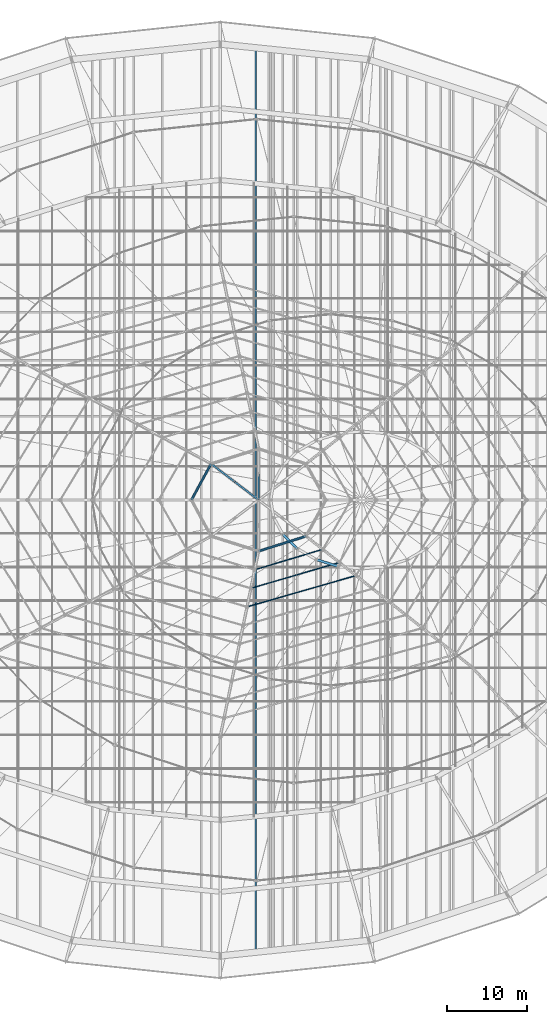
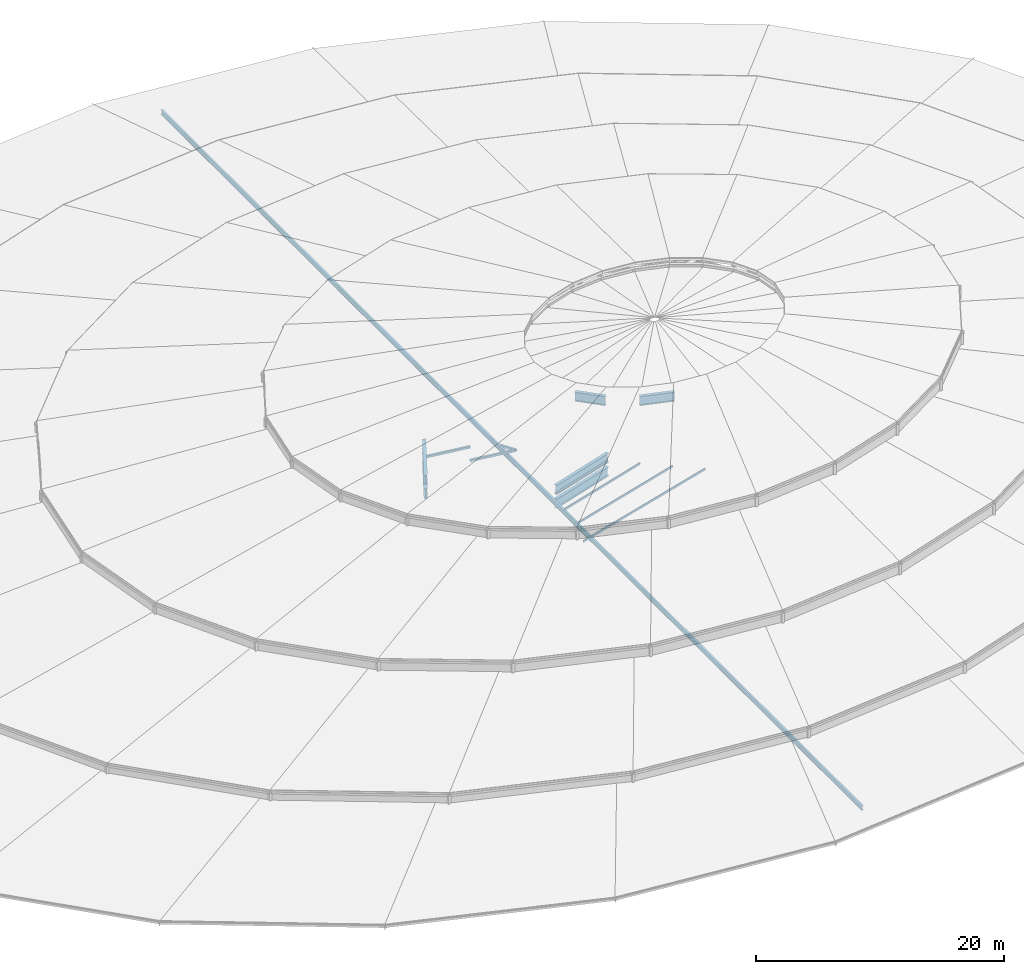
# One storey, part 60 of 184: 9 members, 6 beams.
"""IFC4 building model written with IfcOpenShell, lengths in metres."""

from ifc_helpers import new_model, si_unit, direction, frame, origin, origin_2d, place, context, subcontext, project, spatial, hollow_rectangle, i_section, extrude, material, material_profile, profile_set, type_object, element, save


model = new_model("IFC4")

# Units and contexts
model_context = context("Model", 3, precision=1e-05, world=origin(), true_north=direction((0.0, 1.0)))
body_context = subcontext(model_context, "Body", "Model", "MODEL_VIEW")
ifc_project = project(units=[si_unit("LENGTHUNIT", "METRE"), si_unit("AREAUNIT", "SQUARE_METRE"), si_unit("VOLUMEUNIT", "CUBIC_METRE"), si_unit("PLANEANGLEUNIT", "RADIAN"), si_unit("MASSUNIT", "GRAM", prefix="KILO")], contexts=[model_context])

# Site, building, storey
site_placement = place(None, origin())
site = spatial("IfcSite", under=ifc_project, at=site_placement, CompositionType="ELEMENT")
building_placement = place(site_placement, origin())
building = spatial("IfcBuilding", under=site, at=building_placement, Name="Kalgoora Escarpment Arena", CompositionType="ELEMENT")
storey_placement = place(building_placement, frame((0.0, 0.0, 27.60009765625)))
storey = spatial("IfcBuildingStorey", under=building, at=storey_placement, Name="Roof Level", CompositionType="ELEMENT", Elevation=27.60009765625)

# Beams
ifc_material_1 = material(Name="Structural steel Grade 350 (350 MPa)", Category="steel")
ifc_material_profile_1 = material_profile(ifc_material_1, i_section(OverallWidth=0.300048828125, OverallDepth=0.909912109375, WebThickness=0.011962890625, FlangeThickness=0.028076171875, at=origin_2d()))
ifc_profile_set_1 = profile_set([ifc_material_profile_1], Name="Structural steel Grade 350 (350 MPa)")
beam_type = type_object("IfcBeamType", Name="BM-HUB-RING", PredefinedType="USERDEFINED", material=ifc_profile_set_1)
for number, where, z_axis, x_axis, name in (
    (1, (91.26025390625, 68.525390625, -1.60009765625), (-0.477626268516, -0.878563115333, 0.0), (0.878563115333, -0.477626268516, 0.0), "Central ROOF TRUSS hub bottom ring 4"),
    (2, (91.26025390625, 68.525390625, -0.25), (-0.477626268516, -0.878563115333, 0.0), (0.878563115333, -0.477626268516, 0.0), "Central ROOF TRUSS hub top ring 4"),
):
    element("IfcBeam", number, at=place(storey_placement, frame(where, z_axis=z_axis, x_axis=x_axis)), inside=storey, type_object=beam_type, Name=name, ObjectType="GIRDER", PredefinedType="USERDEFINED", context=body_context, shape_type="SweptSolid", body=[
        extrude(i_section(OverallWidth=0.300048828125, OverallDepth=0.909912109375, WebThickness=0.011962890625, FlangeThickness=0.028076171875, at=origin_2d()), origin(), (0.0, 0.0, 1.0), 5.15087890625),
    ])
for number, where, z_axis, x_axis, name in (
    (3, (97.199951171875, 57.60009765625, -1.60009765625), (0.953637150893, 0.300958775312, 0.0), (-0.300958775312, 0.953637150893, 0.0), "Central ROOF TRUSS hub bottom ring 7"),
    (4, (97.199951171875, 57.60009765625, -0.25), (0.953637150893, 0.300958775312, 0.0), (-0.300958775312, 0.953637150893, 0.0), "Central ROOF TRUSS hub top ring 7"),
):
    element("IfcBeam", number, at=place(storey_placement, frame(where, z_axis=z_axis, x_axis=x_axis)), inside=storey, type_object=beam_type, Name=name, ObjectType="GIRDER", PredefinedType="USERDEFINED", context=body_context, shape_type="SweptSolid", body=[
        extrude(i_section(OverallWidth=0.300048828125, OverallDepth=0.909912109375, WebThickness=0.011962890625, FlangeThickness=0.028076171875, at=origin_2d()), origin(), (0.0, 0.0, 1.0), 6.228515625),
    ])
beam_1_placement = place(storey_placement, frame((100.2373046875, 59.699951171875, 6.64990234375), z_axis=(0.71313496733, -0.701026760096, 0.0), x_axis=(0.701026760096, 0.71313496733, 0.0)))
element("IfcBeam", 5, at=beam_1_placement, inside=storey, type_object=beam_type, Name="Crown oculus tension RING BEAM chord 15", ObjectType="GIRDER", PredefinedType="USERDEFINED", context=body_context, shape_type="SweptSolid", body=[
    extrude(i_section(OverallWidth=0.300048828125, OverallDepth=0.909912109375, WebThickness=0.011962890625, FlangeThickness=0.028076171875, at=origin_2d()), origin(), (0.0, 0.0, 1.0), 2.54052734375),
])
beam_2_placement = place(storey_placement, frame((104.409912109375, 56.55224609375, 6.64990234375), z_axis=(0.954489025966, -0.298246038215, 0.0), x_axis=(0.298246038215, 0.954489025966, 0.0)))
element("IfcBeam", 6, at=beam_2_placement, inside=storey, type_object=beam_type, Name="Crown oculus tension RING BEAM chord 17", ObjectType="GIRDER", PredefinedType="USERDEFINED", context=body_context, shape_type="SweptSolid", body=[
    extrude(i_section(OverallWidth=0.300048828125, OverallDepth=0.909912109375, WebThickness=0.011962890625, FlangeThickness=0.028076171875, at=origin_2d()), origin(), (0.0, 0.0, 1.0), 2.880615234375),
])

# Members
ifc_material_2 = material(Name="Structural steel AS/NZS 3679 (300 MPa)", Category="steel")
ifc_material_profile_2 = material_profile(ifc_material_2, i_section(OverallWidth=0.19091796875, OverallDepth=0.4599609375, WebThickness=0.010009765625, FlangeThickness=0.01611328125, at=origin_2d()))
ifc_profile_set_2 = profile_set([ifc_material_profile_2], Name="Structural steel AS/NZS 3679 (300 MPa)")
member_type_1 = type_object("IfcMemberType", Name="MEM-CARRIER-CHORD", PredefinedType="CHORD", material=ifc_profile_set_2)
member_1_placement = place(storey_placement, frame((96.840087890625, 7.464111328125, -1.080078125), z_axis=(0.0, 1.0, 0.0), x_axis=(-1.0, 0.0, 0.0)))
element("IfcMember", 7, at=member_1_placement, inside=storey, type_object=member_type_1, Name="Petal RP2 spanning carrier chord C07", PredefinedType="CHORD", context=body_context, shape_type="SweptSolid", body=[
    extrude(i_section(OverallWidth=0.19091796875, OverallDepth=0.4599609375, WebThickness=0.010009765625, FlangeThickness=0.01611328125, at=origin_2d()), origin(), (0.0, 0.0, 1.0), 113.07177734375),
])
ifc_material_3 = material(Name="Structural steel C350 (350 MPa)", Category="steel")
ifc_material_profile_3 = material_profile(ifc_material_3, hollow_rectangle(XDim=0.10009765625, YDim=0.199951171875, WallThickness=0.009033203125, at=origin_2d()))
ifc_profile_set_3 = profile_set([ifc_material_profile_3], Name="Structural steel C350 (350 MPa)")
member_type_2 = type_object("IfcMemberType", Name="MEM-PURLIN-RHS", PredefinedType="PURLIN", material=ifc_profile_set_3)
member_2_placement = place(storey_placement, frame((95.760009765625, 50.639892578125, -0.630126953125), z_axis=(0.961113271866, 0.27615444708, 0.0), x_axis=(-0.27615444708, 0.961113271866, 0.0)))
element("IfcMember", 8, at=member_2_placement, inside=storey, type_object=member_type_2, Name="Roof circumferential purlin ring 8 sector 7", PredefinedType="PURLIN", context=body_context, shape_type="SweptSolid", body=[
    extrude(hollow_rectangle(XDim=0.10009765625, YDim=0.199951171875, WallThickness=0.009033203125, at=origin_2d()), origin(), (0.0, 0.0, 1.0), 14.169921875),
])
member_3_placement = place(storey_placement, frame((96.239990234375, 52.9599609375, -0.6201171875), z_axis=(0.959813023473, 0.280640267907, 0.0), x_axis=(-0.280640267907, 0.959813023473, 0.0)))
element("IfcMember", 9, at=member_3_placement, inside=storey, type_object=member_type_2, Name="Roof circumferential purlin ring 9 sector 7", PredefinedType="PURLIN", context=body_context, shape_type="SweptSolid", body=[
    extrude(hollow_rectangle(XDim=0.10009765625, YDim=0.199951171875, WallThickness=0.009033203125, at=origin_2d()), origin(), (0.0, 0.0, 1.0), 11.5224609375),
])
member_4_placement = place(storey_placement, frame((96.719970703125, 55.280029296875, -0.610107421875), z_axis=(0.957698993712, 0.287771849636, 0.0), x_axis=(-0.287771849636, 0.957698993712, 0.0)))
element("IfcMember", 10, at=member_4_placement, inside=storey, type_object=member_type_2, Name="Roof circumferential purlin ring 10 sector 7", PredefinedType="PURLIN", context=body_context, shape_type="SweptSolid", body=[
    extrude(hollow_rectangle(XDim=0.10009765625, YDim=0.199951171875, WallThickness=0.009033203125, at=origin_2d()), origin(), (0.0, 0.0, 1.0), 8.875),
])
member_5_placement = place(storey_placement, frame((91.26025390625, 68.525390625, -0.60009765625), z_axis=(-0.477626268516, -0.878563115333, 0.0), x_axis=(0.878563115333, -0.477626268516, 0.0)))
element("IfcMember", 11, at=member_5_placement, inside=storey, type_object=member_type_2, Name="Roof circumferential purlin ring 11 sector 4", PredefinedType="PURLIN", context=body_context, shape_type="SweptSolid", body=[
    extrude(hollow_rectangle(XDim=0.10009765625, YDim=0.199951171875, WallThickness=0.009033203125, at=origin_2d()), origin(), (0.0, 0.0, 1.0), 5.15087890625),
])
member_6_placement = place(storey_placement, frame((97.199951171875, 57.60009765625, -0.60009765625), z_axis=(0.953637150893, 0.300958775312, 0.0), x_axis=(-0.300958775312, 0.953637150893, 0.0)))
element("IfcMember", 12, at=member_6_placement, inside=storey, type_object=member_type_2, Name="Roof circumferential purlin ring 11 sector 7", PredefinedType="PURLIN", context=body_context, shape_type="SweptSolid", body=[
    extrude(hollow_rectangle(XDim=0.10009765625, YDim=0.199951171875, WallThickness=0.009033203125, at=origin_2d()), origin(), (0.0, 0.0, 1.0), 6.228515625),
])
ifc_material_4 = material(Name="Structural steel C350 (350 MPa)", Category="steel")
ifc_material_profile_4 = material_profile(ifc_material_4, hollow_rectangle(XDim=0.199951171875, YDim=0.199951171875, WallThickness=0.009033203125, at=origin_2d()))
ifc_profile_set_4 = profile_set([ifc_material_profile_4], Name="Structural steel C350 (350 MPa)")
member_type_3 = type_object("IfcMemberType", Name="MEM-TRUSS-DIAG", PredefinedType="BRACE", material=ifc_profile_set_4)
member_7_placement = place(storey_placement, frame((97.199951171875, 67.199951171875, -1.60009765625), z_axis=(0.0, -0.921351966387, 0.38872940979), x_axis=(1.0, 0.0, 0.0)))
element("IfcMember", 13, at=member_7_placement, inside=storey, type_object=member_type_3, Name="Central ROOF TRUSS hub web diagonal 3-2", PredefinedType="BRACE", context=body_context, shape_type="SweptSolid", body=[
    extrude(hollow_rectangle(XDim=0.199951171875, YDim=0.199951171875, WallThickness=0.009033203125, at=origin_2d()), origin(), (0.0, 0.0, 1.0), 3.47314453125),
])
for number, where, z_axis, x_axis, name in (
    (14, (91.26025390625, 68.525390625, -1.60009765625), (0.748046980047, -0.569905418091, 0.340049305356), (0.606019573857, 0.795449731977, 0.0), "Central ROOF TRUSS hub web diagonal 4-1"),
    (15, (94.230224609375, 66.2626953125, -1.60009765625), (0.748019895636, -0.569931633735, 0.340064947621), (0.606051096023, 0.795425715582, 0.0), "Central ROOF TRUSS hub web diagonal 4-2"),
):
    element("IfcMember", number, at=place(storey_placement, frame(where, z_axis=z_axis, x_axis=x_axis)), inside=storey, type_object=member_type_3, Name=name, PredefinedType="BRACE", context=body_context, shape_type="SweptSolid", body=[
        extrude(hollow_rectangle(XDim=0.199951171875, YDim=0.199951171875, WallThickness=0.009033203125, at=origin_2d()), origin(), (0.0, 0.0, 1.0), 3.97021484375),
    ])

save(model, "model.ifc")
